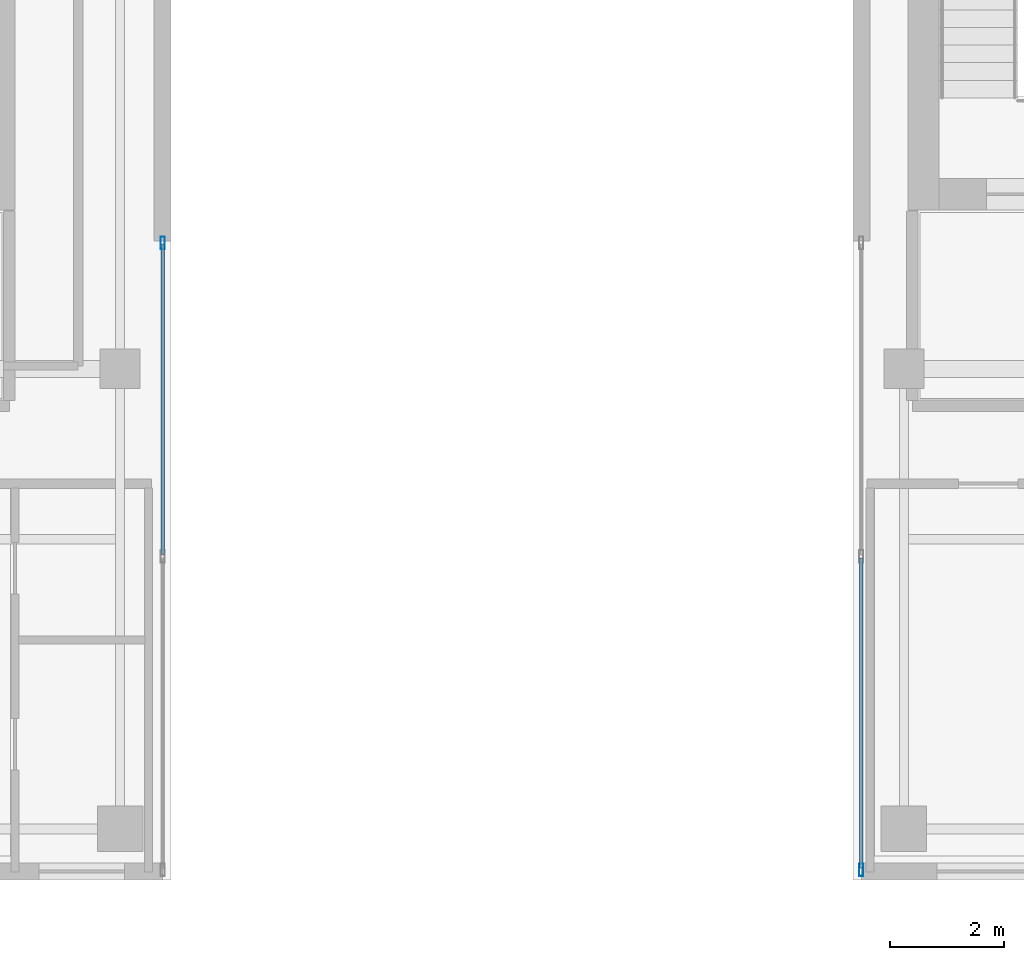
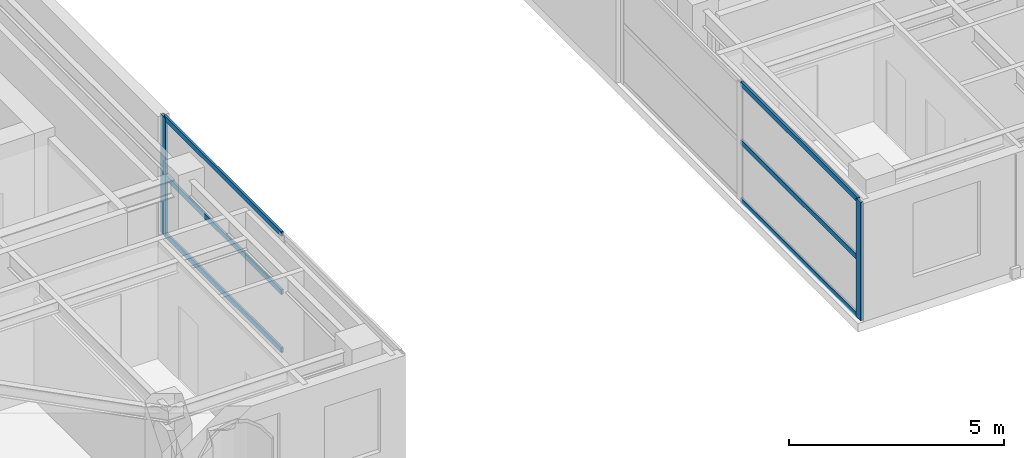
# One storey, part 4 of 24: 8 members, 2 elements without a shape of their own.
"""IFC4 building model written with IfcOpenShell, lengths in metres."""

import ifcopenshell
import ifcopenshell.guid

model = None  # the IFC model being written
_history = None  # IfcOwnerHistory: only IFC2X3 demands one
_inside = {}  # id of a spatial element -> (the spatial element, [elements in it])
_under = {}  # id of a project, library or spatial element -> (it, [spatial elements below it])
_declared = {}  # id of a project -> (the project, [libraries it declares])
_typed = {}  # id of a type object -> (the type object, [elements of that type])
_made_of = {}  # id of a material, layer set ... -> (it, [elements and type objects made of it])


def new_model(schema):
    """Start an empty IFC model of exactly this schema.

    Asked for "IFC4X3", IfcOpenShell would pick the latest addendum, in which some entities
    have other attributes; the version numbers below select the first issue.
    IFC2X3 requires an IfcOwnerHistory on every rooted entity: one is made here for all.
    """
    global model, _history
    if schema == "IFC4X3":
        model = ifcopenshell.file(schema_version=(4, 3, 0, 0))
    else:
        model = ifcopenshell.file(schema=schema)
    _inside.clear()
    _under.clear()
    _declared.clear()
    _typed.clear()
    _made_of.clear()
    _history = None
    if model.schema == "IFC2X3":
        org = make("IfcOrganization", Name="unknown")
        user = make(
            "IfcPersonAndOrganization",
            ThePerson=make("IfcPerson", FamilyName="unknown"),
            TheOrganization=org,
        )
        app = make(
            "IfcApplication",
            ApplicationDeveloper=org,
            Version="unknown",
            ApplicationFullName="unknown",
            ApplicationIdentifier="unknown",
        )
        _history = make(
            "IfcOwnerHistory",
            OwningUser=user,
            OwningApplication=app,
            ChangeAction="ADDED",
            CreationDate=0,
        )
    return model


def make(cls, **values):
    """One entity of the class cls with the attributes given. An attribute that is None is left unset."""
    return model.create_entity(
        cls, **{name: value for name, value in values.items() if value is not None}
    )


def rooted(cls, **values):
    """An entity with a GlobalId (a new one), such as an element, a storey or a relation."""
    return make(cls, GlobalId=ifcopenshell.guid.new(), OwnerHistory=_history, **values)


def si_unit(unit_type, name, prefix=None):
    """IfcSIUnit, for example si_unit("LENGTHUNIT", "METRE", prefix="MILLI")."""
    return make("IfcSIUnit", UnitType=unit_type, Prefix=prefix, Name=name)


def assignment(units):
    """IfcUnitAssignment: the units of a project."""
    return None if units is None else make("IfcUnitAssignment", Units=units)


def point(xyz):
    """IfcCartesianPoint."""
    return None if xyz is None else make("IfcCartesianPoint", Coordinates=xyz)


def direction(xyz):
    """IfcDirection."""
    return None if xyz is None else make("IfcDirection", DirectionRatios=xyz)


def frame(location, z_axis=None, x_axis=None):
    """IfcAxis2Placement3D, a coordinate frame: its origin and axes. An axis left out is left unset."""
    return make(
        "IfcAxis2Placement3D",
        Location=point(location),
        Axis=direction(z_axis),
        RefDirection=direction(x_axis),
    )


def frame_2d(location, x_axis=None):
    """IfcAxis2Placement2D, a coordinate frame in the plane: its origin and x axis."""
    return make(
        "IfcAxis2Placement2D", Location=point(location), RefDirection=direction(x_axis)
    )


def origin():
    """The frame at (0, 0, 0) with its axes left unset."""
    return frame((0.0, 0.0, 0.0))


def origin_2d():
    """The frame at (0, 0) in the plane with its x axis left unset."""
    return frame_2d((0.0, 0.0))


def place(relative_to, where):
    """IfcLocalPlacement: puts the frame where relative to a parent placement (None: the world)."""
    return make(
        "IfcLocalPlacement", PlacementRelTo=relative_to, RelativePlacement=where
    )


def context(
    kind, dimensions, precision=None, world=None, true_north=None, identifier=None
):
    """IfcGeometricRepresentationContext, for example the 3D "Model" context."""
    return make(
        "IfcGeometricRepresentationContext",
        ContextIdentifier=identifier,
        ContextType=kind,
        CoordinateSpaceDimension=dimensions,
        Precision=precision,
        WorldCoordinateSystem=world,
        TrueNorth=true_north,
    )


def subcontext(parent, identifier, kind, view, scale=None):
    """IfcGeometricRepresentationSubContext, for example "Body" below "Model"."""
    return make(
        "IfcGeometricRepresentationSubContext",
        ContextIdentifier=identifier,
        ContextType=kind,
        ParentContext=parent,
        TargetScale=scale,
        TargetView=view,
    )


def project(units=None, contexts=None):
    """IfcProject with its units and contexts."""
    return rooted(
        "IfcProject",
        Name="project",
        RepresentationContexts=contexts,
        UnitsInContext=assignment(units),
    )


def spatial(cls, under=None, at=None, **own):
    """A site, building, storey or space (cls), placed at a placement, below another one or the project."""
    s = rooted(cls, ObjectPlacement=at, **own)
    if under is not None:
        _under.setdefault(under.id(), (under, []))[1].append(s)
    return s


def profile(cls, at=None, kind="AREA", **sizes):
    """A parametric profile (cls). Its sizes go by their IFC names, for example OverallWidth=200.0."""
    return make(cls, ProfileType=kind, Position=at, **sizes)


def hollow_rectangle(**sizes):
    """IfcRectangleHollowProfileDef."""
    return profile("IfcRectangleHollowProfileDef", **sizes)


def extrude(swept, where, along, depth):
    """IfcExtrudedAreaSolid: the profile swept, set in the frame where, extruded along a direction by depth."""
    return make(
        "IfcExtrudedAreaSolid",
        SweptArea=swept,
        Position=where,
        ExtrudedDirection=direction(along),
        Depth=depth,
    )


def shape(context_of_items, identifier, shape_type, items):
    """IfcShapeRepresentation: the items that make up one representation, for example the "Body"."""
    return make(
        "IfcShapeRepresentation",
        ContextOfItems=context_of_items,
        RepresentationIdentifier=identifier,
        RepresentationType=shape_type,
        Items=items,
    )


def source(mapping_origin, context_of_items, identifier, shape_type, items):
    """IfcRepresentationMap: a shape defined once, which mapped items show again and again."""
    return make(
        "IfcRepresentationMap",
        MappingOrigin=mapping_origin,
        MappedRepresentation=shape(context_of_items, identifier, shape_type, items),
    )


def transform(
    local_origin,
    x_axis=None,
    y_axis=None,
    z_axis=None,
    scale=None,
    scale2=None,
    scale3=None,
    uniform=True,
):
    """IfcCartesianTransformationOperator3D, or its non-uniform kind. x_axis, y_axis, z_axis: its Axis1, 2, 3."""
    if uniform:
        return make(
            "IfcCartesianTransformationOperator3D",
            Axis1=direction(x_axis),
            Axis2=direction(y_axis),
            LocalOrigin=point(local_origin),
            Scale=scale,
            Axis3=direction(z_axis),
        )
    return make(
        "IfcCartesianTransformationOperator3DnonUniform",
        Axis1=direction(x_axis),
        Axis2=direction(y_axis),
        LocalOrigin=point(local_origin),
        Scale=scale,
        Axis3=direction(z_axis),
        Scale2=scale2,
        Scale3=scale3,
    )


def mapped(mapping_source, mapping_target):
    """IfcMappedItem: shows the shape of a source again, moved by a transform."""
    return make(
        "IfcMappedItem", MappingSource=mapping_source, MappingTarget=mapping_target
    )


def material(Name=None, Category=None):
    """IfcMaterial."""
    return make("IfcMaterial", Name=Name, Category=Category)


def layer(
    of_material, thickness, ventilated=None, Name=None, Category=None, Priority=None
):
    """IfcMaterialLayer: one layer of a wall or slab, of a material (None: an air gap)."""
    return make(
        "IfcMaterialLayer",
        Material=of_material,
        LayerThickness=thickness,
        IsVentilated=ventilated,
        Name=Name,
        Category=Category,
        Priority=Priority,
    )


def layer_set(layers, Name=None):
    """IfcMaterialLayerSet."""
    return make("IfcMaterialLayerSet", MaterialLayers=layers, LayerSetName=Name)


def material_profile(
    of_material, cross_section, Name=None, Category=None, Priority=None
):
    """IfcMaterialProfile: a cross section and its material."""
    return make(
        "IfcMaterialProfile",
        Name=Name,
        Material=of_material,
        Profile=cross_section,
        Priority=Priority,
        Category=Category,
    )


def profile_set(profiles, Name=None, composite=None):
    """IfcMaterialProfileSet."""
    return make(
        "IfcMaterialProfileSet",
        Name=Name,
        MaterialProfiles=profiles,
        CompositeProfile=composite,
    )


def made_of(thing, what):
    """Note that an element or type object is made of a material, layer set ...; save() writes the relation."""
    if what is not None:
        _made_of.setdefault(what.id(), (what, []))[1].append(thing)
    return thing


def type_object(cls, material=None, **own):
    """A type object (cls), such as IfcWallType, which elements share."""
    return made_of(rooted(cls, **own), material)


def element(
    cls,
    number,
    at=None,
    inside=None,
    cuts=None,
    type_object=None,
    material=None,
    context=None,
    identifier="Body",
    shape_type=None,
    held_by="IfcProductDefinitionShape",
    body=None,
    shapes=None,
    **own,
):
    """One element of the class cls, such as IfcWall. Its Tag is "e" and its number.

    at: its placement. inside: the storey or other place that contains it. cuts: it is an
    opening in that element (IfcRelVoidsElement). A single representation is given by context,
    identifier, shape_type and body (its items); several are given by shapes. held_by: the class
    of the entity that holds the representations. save() writes the other relations.
    """
    e = rooted(cls, Tag="e%d" % number, ObjectPlacement=at, **own)
    if body is not None:
        shapes = [shape(context, identifier, shape_type, body)]
    if shapes is not None:
        e.Representation = make(held_by, Representations=shapes)
    if inside is not None:
        _inside.setdefault(inside.id(), (inside, []))[1].append(e)
    if cuts is not None:
        rooted(
            "IfcRelVoidsElement", RelatingBuildingElement=cuts, RelatedOpeningElement=e
        )
    if type_object is not None:
        _typed.setdefault(type_object.id(), (type_object, []))[1].append(e)
    return made_of(e, material)


def aggregate(whole, parts):
    """IfcRelAggregates: a whole, such as a stair, and the parts it consists of."""
    return rooted("IfcRelAggregates", RelatingObject=whole, RelatedObjects=parts)


def save(model, path):
    """Write the relations noted so far, then the file.

    IfcRelAggregates (storeys below a building ...), IfcRelContainedInSpatialStructure (elements
    in a storey), IfcRelDefinesByType, IfcRelAssociatesMaterial and IfcRelDeclares: one each for
    every whole, place, type object, material and project.
    """
    for whole, parts in _under.values():
        aggregate(whole, parts)
    for where, things in _inside.values():
        rooted(
            "IfcRelContainedInSpatialStructure",
            RelatedElements=things,
            RelatingStructure=where,
        )
    for kind, things in _typed.values():
        rooted("IfcRelDefinesByType", RelatedObjects=things, RelatingType=kind)
    for what, things in _made_of.values():
        rooted("IfcRelAssociatesMaterial", RelatedObjects=things, RelatingMaterial=what)
    for by, libraries in _declared.values():
        rooted("IfcRelDeclares", RelatingContext=by, RelatedDefinitions=libraries)
    model.write(path)


model = new_model("IFC4")

# Units and contexts
model_context = context("Model", 3, precision=1e-05, world=origin(), true_north=direction((0.0, 1.0)))
body_context = subcontext(model_context, "Body", "Model", "MODEL_VIEW")
ifc_project = project(units=[si_unit("LENGTHUNIT", "METRE"), si_unit("AREAUNIT", "SQUARE_METRE"), si_unit("VOLUMEUNIT", "CUBIC_METRE"), si_unit("PLANEANGLEUNIT", "RADIAN"), si_unit("MASSUNIT", "GRAM", prefix="KILO")], contexts=[model_context])

# Site, building, storey
site_placement = place(None, origin())
site = spatial("IfcSite", under=ifc_project, at=site_placement, CompositionType="ELEMENT")
building_placement = place(site_placement, origin())
building = spatial("IfcBuilding", under=site, at=building_placement, Name="Khoralis Quay Care Tower", CompositionType="ELEMENT")
storey_placement = place(building_placement, frame((0.0, 0.0, 231.300048828125)))
storey = spatial("IfcBuildingStorey", under=building, at=storey_placement, Name="L60", CompositionType="ELEMENT", Elevation=231.300048828125)

# Curtain wall, members
ifc_material = material(Name="Pale anodised aluminium", Category="aluminium")
ifc_layer = layer(ifc_material, 0.18994140625)
ifc_layer_set = layer_set([ifc_layer], Name="Pale anodised aluminium")
curtain_wall_type = type_object("IfcCurtainWallType", Name="CW-SYS-PORTAL", PredefinedType="NOTDEFINED", material=ifc_layer_set)
curtain_wall_1_placement = place(storey_placement, origin())
curtain_wall_1 = element("IfcCurtainWall", 1, at=curtain_wall_1_placement, inside=storey, type_object=curtain_wall_type, Name="L60 Unitised Curtain Wall CW-VP-L60-P1-S", PredefinedType="NOTDEFINED")
ifc_material_profile_1 = material_profile(ifc_material, hollow_rectangle(XDim=0.06005859375, YDim=0.139892578125, WallThickness=0.00390625, at=origin_2d()), Name="Pale anodised aluminium")
ifc_profile_set_1 = profile_set([ifc_material_profile_1], Name="Pale anodised aluminium")
member_type_1 = type_object("IfcMemberType", Name="CW-TRN-140", PredefinedType="USERDEFINED", material=ifc_profile_set_1)
shared_shape_1 = source(origin(), body_context, "Body", "SweptSolid", [
    extrude(hollow_rectangle(XDim=0.06005859375, YDim=0.139892578125, WallThickness=0.00390625, at=origin_2d()), origin(), (0.0, 0.0, 1.0), 5.4599609375),
])
member_1_placement = place(storey_placement, frame((17.85009765625, 8.72998046875, 0.030029296875), z_axis=(0.0, 1.0, 0.0), x_axis=(-1.0, 0.0, 0.0)))
member_1 = element("IfcMember", 2, at=member_1_placement, type_object=member_type_1, Name="CW4 transom 2.1", ObjectType="TRANSOM", PredefinedType="USERDEFINED", context=body_context, shape_type="MappedRepresentation", body=[
    mapped(shared_shape_1, transform((0.0, 0.0, 0.0), scale=1.0)),
])
member_2_placement = place(storey_placement, frame((17.85009765625, 8.72998046875, 1.679931640625), z_axis=(0.0, 1.0, 0.0), x_axis=(-1.0, 0.0, 0.0)))
member_2 = element("IfcMember", 3, at=member_2_placement, type_object=member_type_1, Name="CW4 transom 2.2", ObjectType="TRANSOM", PredefinedType="USERDEFINED", context=body_context, shape_type="MappedRepresentation", body=[
    mapped(shared_shape_1, transform((0.0, 0.0, 0.0), scale=1.0)),
])
member_3_placement = place(storey_placement, frame((17.85009765625, 8.72998046875, 3.329833984375), z_axis=(0.0, 1.0, 0.0), x_axis=(-1.0, 0.0, 0.0)))
member_3 = element("IfcMember", 4, at=member_3_placement, type_object=member_type_1, Name="CW4 transom 2.3", ObjectType="TRANSOM", PredefinedType="USERDEFINED", context=body_context, shape_type="MappedRepresentation", body=[
    mapped(shared_shape_1, transform((0.0, 0.0, 0.0), scale=1.0)),
])

curtain_wall_2_placement = place(storey_placement, origin())
curtain_wall_2 = element("IfcCurtainWall", 5, at=curtain_wall_2_placement, inside=storey, type_object=curtain_wall_type, Name="L60 Unitised Curtain Wall CW-VP-L60-P2-S", PredefinedType="NOTDEFINED")
member_4_placement = place(storey_placement, frame((30.14990234375, 3.2099609375, 0.030029296875), z_axis=(0.0, 1.0, 0.0), x_axis=(-1.0, 0.0, 0.0)))
member_4 = element("IfcMember", 6, at=member_4_placement, type_object=member_type_1, Name="CW4 transom 1.1", ObjectType="TRANSOM", PredefinedType="USERDEFINED", context=body_context, shape_type="MappedRepresentation", body=[
    mapped(shared_shape_1, transform((0.0, 0.0, 0.0), scale=1.0)),
])
member_5_placement = place(storey_placement, frame((30.14990234375, 3.2099609375, 1.679931640625), z_axis=(0.0, 1.0, 0.0), x_axis=(-1.0, 0.0, 0.0)))
member_5 = element("IfcMember", 7, at=member_5_placement, type_object=member_type_1, Name="CW4 transom 1.2", ObjectType="TRANSOM", PredefinedType="USERDEFINED", context=body_context, shape_type="MappedRepresentation", body=[
    mapped(shared_shape_1, transform((0.0, 0.0, 0.0), scale=1.0)),
])
member_6_placement = place(storey_placement, frame((30.14990234375, 3.2099609375, 3.329833984375), z_axis=(0.0, 1.0, 0.0), x_axis=(-1.0, 0.0, 0.0)))
member_6 = element("IfcMember", 8, at=member_6_placement, type_object=member_type_1, Name="CW4 transom 1.3", ObjectType="TRANSOM", PredefinedType="USERDEFINED", context=body_context, shape_type="MappedRepresentation", body=[
    mapped(shared_shape_1, transform((0.0, 0.0, 0.0), scale=1.0)),
])

# Member
ifc_material_profile_2 = material_profile(ifc_material, hollow_rectangle(XDim=0.074951171875, YDim=0.219970703125, WallThickness=0.00390625, at=origin_2d()), Name="Pale anodised aluminium")
ifc_profile_set_2 = profile_set([ifc_material_profile_2], Name="Pale anodised aluminium")
member_type_2 = type_object("IfcMemberType", Name="CW-MUL-220", PredefinedType="MULLION", material=ifc_profile_set_2)
shared_shape_2 = source(origin(), body_context, "Body", "SweptSolid", [
    extrude(hollow_rectangle(XDim=0.074951171875, YDim=0.219970703125, WallThickness=0.00390625, at=origin_2d()), origin(), (0.0, 0.0, 1.0), 3.35986328125),
])
member_7_placement = place(storey_placement, frame((17.85009765625, 14.219970703125, 0.0), z_axis=(0.0, 0.0, 1.0), x_axis=(-1.0, 0.0, 0.0)))
member_7 = element("IfcMember", 9, at=member_7_placement, type_object=member_type_2, Name="CW4 mullion 3", PredefinedType="MULLION", context=body_context, shape_type="MappedRepresentation", body=[
    mapped(shared_shape_2, transform((0.0, 0.0, 0.0), scale=1.0)),
])

aggregate(curtain_wall_1, [member_7, member_1, member_2, member_3])

member_8_placement = place(storey_placement, frame((30.14990234375, 3.179931640625, 0.0), z_axis=(0.0, 0.0, 1.0), x_axis=(-1.0, 0.0, 0.0)))
member_8 = element("IfcMember", 10, at=member_8_placement, type_object=member_type_2, Name="CW4 mullion 1", PredefinedType="MULLION", context=body_context, shape_type="MappedRepresentation", body=[
    mapped(shared_shape_2, transform((0.0, 0.0, 0.0), scale=1.0)),
])

aggregate(curtain_wall_2, [member_8, member_4, member_5, member_6])

save(model, "model.ifc")
